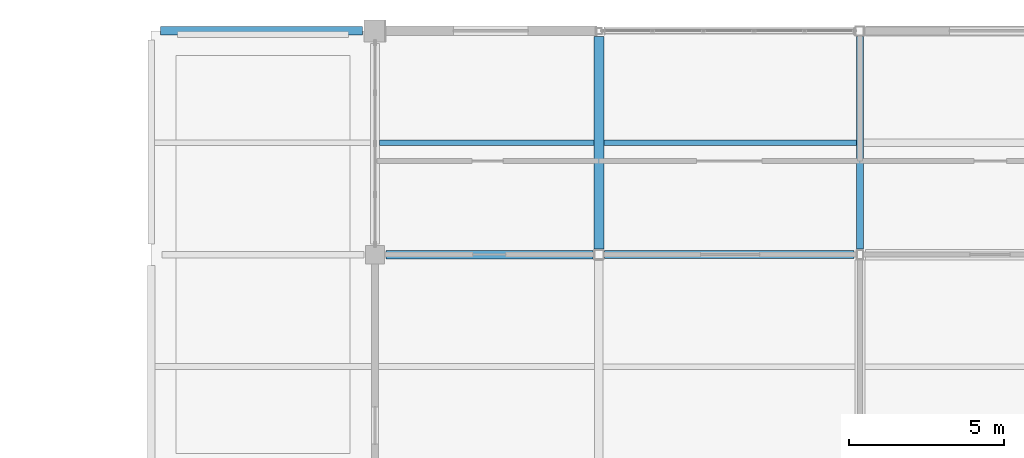
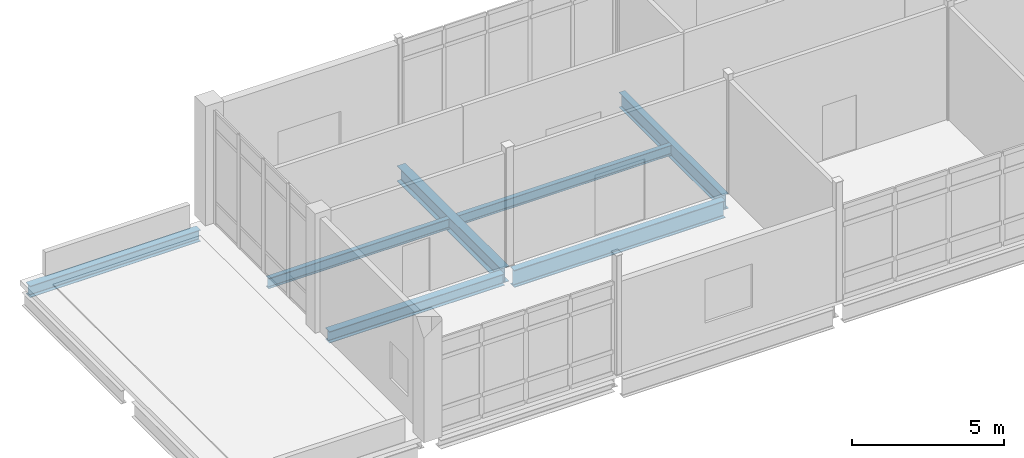
# One storey, part 60 of 153: 7 beams.
"""IFC4 building model written with IfcOpenShell, lengths in metres."""

from ifc_helpers import new_model, si_unit, direction, frame, origin, origin_2d, place, context, subcontext, project, spatial, i_section, extrude, material, material_profile, profile_set, type_object, element, save


model = new_model("IFC4")

# Units and contexts
model_context = context("Model", 3, precision=1e-05, world=origin(), true_north=direction((0.0, 1.0)))
body_context = subcontext(model_context, "Body", "Model", "MODEL_VIEW")
ifc_project = project(units=[si_unit("LENGTHUNIT", "METRE"), si_unit("AREAUNIT", "SQUARE_METRE"), si_unit("VOLUMEUNIT", "CUBIC_METRE"), si_unit("PLANEANGLEUNIT", "RADIAN"), si_unit("MASSUNIT", "GRAM", prefix="KILO")], contexts=[model_context])

# Site, building, storey
site_placement = place(None, origin())
site = spatial("IfcSite", under=ifc_project, at=site_placement, CompositionType="ELEMENT")
building_placement = place(site_placement, origin())
building = spatial("IfcBuilding", under=site, at=building_placement, Name="Calvrana Isthmian Art Gallery", CompositionType="ELEMENT")
storey_placement = place(building_placement, frame((0.0, 0.0, 10.199951171875)))
storey = spatial("IfcBuildingStorey", under=building, at=storey_placement, Name="L02", CompositionType="ELEMENT", Elevation=10.199951171875)

# Beams
ifc_material = material(Name="Steel ASTM A992 Gr 50", Category="steel")
ifc_material_profile_1 = material_profile(ifc_material, i_section(OverallWidth=0.279052734375, OverallDepth=0.4619140625, WebThickness=0.0107421875, FlangeThickness=0.017333984375, FilletRadius=0.02001953125, at=origin_2d()), Name="W18X76")
ifc_profile_set_1 = profile_set([ifc_material_profile_1], Name="Steel ASTM A992 Gr 50")
beam_type_1 = type_object("IfcBeamType", Name="BM-G-W18X76", PredefinedType="BEAM", material=ifc_profile_set_1)
beam_1_placement = place(storey_placement, frame((14.75, 105.60009765625, -0.495849609375), z_axis=(1.0, 0.0, 0.0), x_axis=(0.0, 1.0, 0.0)))
element("IfcBeam", 1, at=beam_1_placement, inside=storey, type_object=beam_type_1, Name="Girder X L02 03-04/O", PredefinedType="BEAM", context=body_context, shape_type="SweptSolid", body=[
    extrude(i_section(OverallWidth=0.279052734375, OverallDepth=0.4619140625, WebThickness=0.0107421875, FlangeThickness=0.017333984375, FilletRadius=0.02001953125, at=origin_2d()), origin(), (0.0, 0.0, 1.0), 6.66455078125),
])
beam_2_placement = place(storey_placement, frame((7.5, 112.800048828125, -0.495849609375), z_axis=(1.0, 0.0, 0.0), x_axis=(0.0, 1.0, 0.0)))
element("IfcBeam", 2, at=beam_2_placement, inside=storey, type_object=beam_type_1, Name="Girder X L02 02-03/P", PredefinedType="BEAM", context=body_context, shape_type="SweptSolid", body=[
    extrude(i_section(OverallWidth=0.279052734375, OverallDepth=0.4619140625, WebThickness=0.0107421875, FlangeThickness=0.017333984375, FilletRadius=0.02001953125, at=origin_2d()), origin(), (0.0, 0.0, 1.0), 6.5),
])
ifc_material_profile_2 = material_profile(ifc_material, i_section(OverallWidth=0.324951171875, OverallDepth=0.612060546875, WebThickness=0.0126953125, FlangeThickness=0.01904296875, FilletRadius=0.02197265625, at=origin_2d()), Name="W24X104")
ifc_profile_set_2 = profile_set([ifc_material_profile_2], Name="Steel ASTM A992 Gr 50")
beam_type_2 = type_object("IfcBeamType", Name="BM-G-W24X104", PredefinedType="BEAM", material=ifc_profile_set_2)
beam_3_placement = place(storey_placement, frame((21.60009765625, 105.781494140625, -0.571044921875), z_axis=(0.0, 1.0, 0.0), x_axis=(-1.0, 0.0, 0.0)))
element("IfcBeam", 3, at=beam_3_placement, inside=storey, type_object=beam_type_2, Name="Girder Y L02 04/O-P", PredefinedType="BEAM", context=body_context, shape_type="SweptSolid", body=[
    extrude(i_section(OverallWidth=0.324951171875, OverallDepth=0.612060546875, WebThickness=0.0126953125, FlangeThickness=0.01904296875, FilletRadius=0.02197265625, at=origin_2d()), origin(), (0.0, 0.0, 1.0), 6.83447265625),
])
ifc_material_profile_3 = material_profile(ifc_material, i_section(OverallWidth=0.22802734375, OverallDepth=0.60693359375, WebThickness=0.01123046875, FlangeThickness=0.017333984375, FilletRadius=0.02197265625, at=origin_2d()), Name="W24X76")
ifc_profile_set_3 = profile_set([ifc_material_profile_3], Name="Steel ASTM A992 Gr 50")
beam_type_3 = type_object("IfcBeamType", Name="BM-G-W24X76", PredefinedType="BEAM", material=ifc_profile_set_3)
beam_4_placement = place(storey_placement, frame((30.0, 105.778076171875, -0.568359375), z_axis=(0.0, 1.0, 0.0), x_axis=(-1.0, 0.0, 0.0)))
element("IfcBeam", 4, at=beam_4_placement, inside=storey, type_object=beam_type_3, Name="Girder Y L02 05/O-P", PredefinedType="BEAM", context=body_context, shape_type="SweptSolid", body=[
    extrude(i_section(OverallWidth=0.22802734375, OverallDepth=0.60693359375, WebThickness=0.01123046875, FlangeThickness=0.017333984375, FilletRadius=0.02197265625, at=origin_2d()), origin(), (0.0, 0.0, 1.0), 6.84033203125),
])
ifc_material_profile_4 = material_profile(ifc_material, i_section(OverallWidth=0.257080078125, OverallDepth=0.693115234375, WebThickness=0.014404296875, FlangeThickness=0.023681640625, FilletRadius=0.02392578125, at=origin_2d()), Name="W27X114")
ifc_profile_set_4 = profile_set([ifc_material_profile_4], Name="Steel ASTM A992 Gr 50")
beam_type_4 = type_object("IfcBeamType", Name="BM-G-W27X114", PredefinedType="BEAM", material=ifc_profile_set_4)
beam_5_placement = place(storey_placement, frame((21.785400390625, 105.60009765625, -0.611572265625), z_axis=(1.0, 0.0, 0.0), x_axis=(0.0, 1.0, 0.0)))
element("IfcBeam", 5, at=beam_5_placement, inside=storey, type_object=beam_type_4, Name="Girder X L02 04-05/O", PredefinedType="BEAM", context=body_context, shape_type="SweptSolid", body=[
    extrude(i_section(OverallWidth=0.257080078125, OverallDepth=0.693115234375, WebThickness=0.014404296875, FlangeThickness=0.023681640625, FilletRadius=0.02392578125, at=origin_2d()), origin(), (0.0, 0.0, 1.0), 8.030517578125),
])
ifc_material_profile_5 = material_profile(ifc_material, i_section(OverallWidth=0.177978515625, OverallDepth=0.404052734375, WebThickness=0.007568359375, FlangeThickness=0.010986328125, FilletRadius=0.01806640625, at=origin_2d()), Name="W16X36")
ifc_profile_set_5 = profile_set([ifc_material_profile_5], Name="Steel ASTM A992 Gr 50")
beam_type_5 = type_object("IfcBeamType", Name="BM-J-W16X36", PredefinedType="JOIST", material=ifc_profile_set_5)
beam_6_placement = place(storey_placement, frame((21.762451171875, 109.199951171875, -0.467041015625), z_axis=(1.0, 0.0, 0.0), x_axis=(0.0, 1.0, 0.0)))
element("IfcBeam", 6, at=beam_6_placement, inside=storey, type_object=beam_type_5, Name="Composite joist L02 bay 03-14", PredefinedType="JOIST", context=body_context, shape_type="SweptSolid", body=[
    extrude(i_section(OverallWidth=0.177978515625, OverallDepth=0.404052734375, WebThickness=0.007568359375, FlangeThickness=0.010986328125, FilletRadius=0.01806640625, at=origin_2d()), origin(), (0.0, 0.0, 1.0), 8.12353515625),
])
ifc_material_profile_6 = material_profile(ifc_material, i_section(OverallWidth=0.179931640625, OverallDepth=0.4140625, WebThickness=0.009765625, FlangeThickness=0.01611328125, FilletRadius=0.01806640625, at=origin_2d()), Name="W16X50")
ifc_profile_set_6 = profile_set([ifc_material_profile_6], Name="Steel ASTM A992 Gr 50")
beam_type_6 = type_object("IfcBeamType", Name="BM-J-W16X50", PredefinedType="JOIST", material=ifc_profile_set_6)
beam_7_placement = place(storey_placement, frame((14.53955078125, 109.199951171875, -0.471923828125), z_axis=(1.0, 0.0, 0.0), x_axis=(0.0, 1.0, 0.0)))
element("IfcBeam", 7, at=beam_7_placement, inside=storey, type_object=beam_type_6, Name="Composite joist L02 bay 02-14", PredefinedType="JOIST", context=body_context, shape_type="SweptSolid", body=[
    extrude(i_section(OverallWidth=0.179931640625, OverallDepth=0.4140625, WebThickness=0.009765625, FlangeThickness=0.01611328125, FilletRadius=0.01806640625, at=origin_2d()), origin(), (0.0, 0.0, 1.0), 6.89794921875),
])

save(model, "model.ifc")
